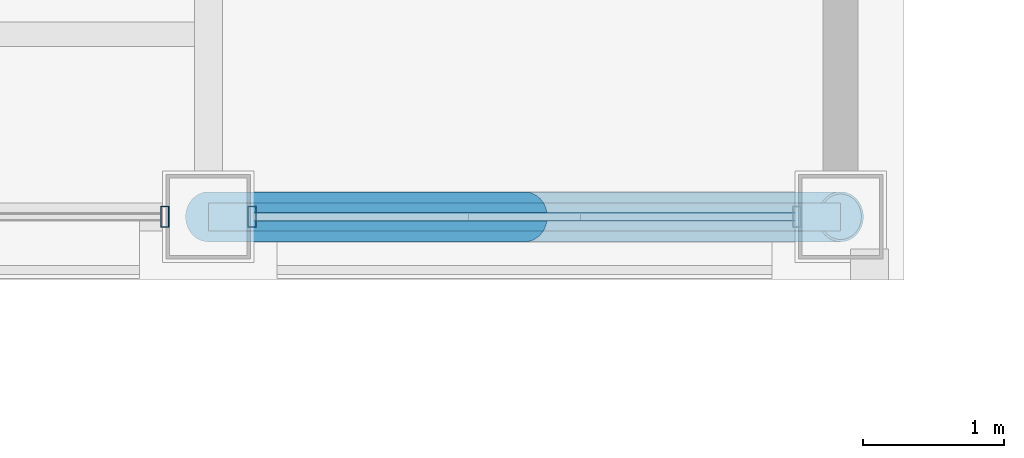
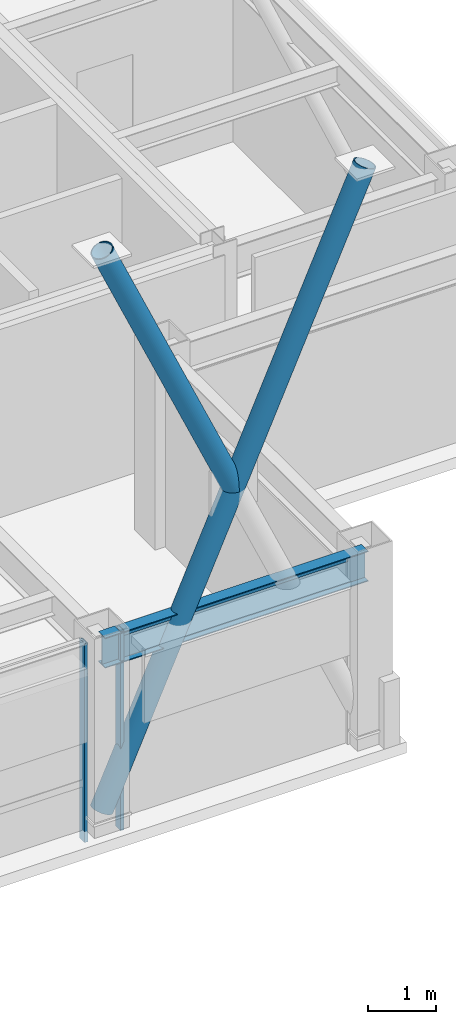
# One storey, part 7 of 27: 5 members, 1 beam, 2 elements without a shape of their own.
"""IFC4 building model written with IfcOpenShell, lengths in metres."""

from ifc_helpers import new_model, si_unit, direction, frame, origin, origin_2d, place, context, subcontext, project, spatial, hollow_rectangle, hollow_circle, i_section, extrude, material, layer, layer_set, material_profile, profile_set, type_object, element, aggregate, save


model = new_model("IFC4")

# Units and contexts
model_context = context("Model", 3, precision=1e-05, world=origin(), true_north=direction((0.0, 1.0)))
body_context = subcontext(model_context, "Body", "Model", "MODEL_VIEW")
ifc_project = project(units=[si_unit("LENGTHUNIT", "METRE"), si_unit("AREAUNIT", "SQUARE_METRE"), si_unit("VOLUMEUNIT", "CUBIC_METRE"), si_unit("PLANEANGLEUNIT", "RADIAN"), si_unit("MASSUNIT", "GRAM", prefix="KILO")], contexts=[model_context])

# Site, building, storey
site_placement = place(None, origin())
site = spatial("IfcSite", under=ifc_project, at=site_placement, CompositionType="ELEMENT")
building_placement = place(site_placement, origin())
building = spatial("IfcBuilding", under=site, at=building_placement, Name="Brelmoor Portico Tower", CompositionType="ELEMENT")
storey_placement = place(building_placement, frame((0.0, 0.0, 258.0)))
storey = spatial("IfcBuildingStorey", under=building, at=storey_placement, Name="L68", CompositionType="ELEMENT", Elevation=258.0)

# Beam
ifc_material_1 = material(Name="Steel Q355B", Category="steel")
ifc_material_profile_1 = material_profile(ifc_material_1, i_section(OverallWidth=0.199951171875, OverallDepth=0.550048828125, WebThickness=0.010009765625, FlangeThickness=0.01611328125, at=origin_2d()), Name="HN 550x200x10x16")
ifc_profile_set_1 = profile_set([ifc_material_profile_1], Name="Steel Q355B")
beam_type = type_object("IfcBeamType", Name="BM-SP-550", PredefinedType="SPANDREL", material=ifc_profile_set_1)
beam_placement = place(storey_placement, frame((8.050048828125, -17.550048828125, 3.125), z_axis=(1.0, 0.0, 0.0), x_axis=(0.0, 1.0, 0.0)))
element("IfcBeam", 1, at=beam_placement, inside=storey, type_object=beam_type, Name="L68 Perimeter Spandrel Beam SP-03", PredefinedType="SPANDREL", context=body_context, shape_type="SweptSolid", body=[
    extrude(i_section(OverallWidth=0.199951171875, OverallDepth=0.550048828125, WebThickness=0.010009765625, FlangeThickness=0.01611328125, at=origin_2d()), origin(), (0.0, 0.0, 1.0), 4.5),
])

# Members
ifc_material_profile_2 = material_profile(ifc_material_1, hollow_circle(Radius=0.177978515625, WallThickness=0.01611328125, at=origin_2d()), Name="CHS 356x16")
ifc_profile_set_2 = profile_set([ifc_material_profile_2], Name="Steel Q355B")
member_type_1 = type_object("IfcMemberType", Name="MB-BELT-DIAG2", PredefinedType="BRACE", material=ifc_profile_set_2)
member_1_placement = place(storey_placement, frame((8.050048828125, -17.550048828125, 0.25), z_axis=(0.406974140277, 0.0, 0.913439680081), x_axis=(0.0, 1.0, 0.0)))
element("IfcMember", 2, at=member_1_placement, inside=storey, type_object=member_type_1, Name="L68 Continuous Mega-X Brace 150A", PredefinedType="BRACE", context=body_context, shape_type="SweptSolid", body=[
    extrude(hollow_circle(Radius=0.177978515625, WallThickness=0.01611328125, at=origin_2d()), origin(), (0.0, 0.0, 1.0), 11.05712890625),
])
member_2_placement = place(storey_placement, frame((10.300048828125, -17.550048828125, 5.300048828125), z_axis=(-0.406974140277, 0.0, 0.913439680081), x_axis=(0.0, -1.0, 0.0)))
element("IfcMember", 3, at=member_2_placement, inside=storey, type_object=member_type_1, Name="L68 Split Mega-X Brace 150B2", PredefinedType="BRACE", context=body_context, shape_type="SweptSolid", body=[
    extrude(hollow_circle(Radius=0.177978515625, WallThickness=0.01611328125, at=origin_2d()), origin(), (0.0, 0.0, 1.0), 5.528564453125),
])

# Curtain wall, member
ifc_material_2 = material(Name="Anodised Aluminium Alloy 6063-T6", Category="aluminium")
ifc_layer_1 = layer(ifc_material_2, 0.179931640625)
ifc_layer_set_1 = layer_set([ifc_layer_1], Name="Anodised Aluminium Alloy 6063-T6")
curtain_wall_type_1 = type_object("IfcCurtainWallType", Name="CW-TOWER-Z4", PredefinedType="NOTDEFINED", material=ifc_layer_set_1)
curtain_wall_1_placement = place(storey_placement, origin())
curtain_wall_1 = element("IfcCurtainWall", 4, at=curtain_wall_1_placement, inside=storey, type_object=curtain_wall_type_1, Name="L68 Curtain Wall CW-L68-1R-1", PredefinedType="NOTDEFINED")
ifc_material_profile_3 = material_profile(ifc_material_2, hollow_rectangle(XDim=0.06005859375, YDim=0.14990234375, WallThickness=0.00390625, at=origin_2d()), Name="ALU MULLION 60x150")
ifc_profile_set_3 = profile_set([ifc_material_profile_3], Name="Anodised Aluminium Alloy 6063-T6")
member_type_2 = type_object("IfcMemberType", Name="MB-CW-MULL-150", PredefinedType="MULLION", material=ifc_profile_set_3)
member_3_placement = place(storey_placement, frame((7.739990234375, -17.550048828125, -0.199951171875), z_axis=(0.0, 0.0, 1.0), x_axis=(1.0, 0.0, 0.0)))
member_3 = element("IfcMember", 5, at=member_3_placement, type_object=member_type_2, Name="CW-L68-1R-1 Mullion 01", PredefinedType="MULLION", context=body_context, shape_type="SweptSolid", body=[
    extrude(hollow_rectangle(XDim=0.06005859375, YDim=0.14990234375, WallThickness=0.00390625, at=origin_2d()), origin(), (0.0, 0.0, 1.0), 3.599853515625),
])
aggregate(curtain_wall_1, [member_3])

# Curtain wall, members
ifc_layer_2 = layer(ifc_material_2, 0.179931640625)
ifc_layer_set_2 = layer_set([ifc_layer_2], Name="Anodised Aluminium Alloy 6063-T6")
curtain_wall_type_2 = type_object("IfcCurtainWallType", Name="CW-TOWER-Z4-XB", PredefinedType="NOTDEFINED", material=ifc_layer_set_2)
curtain_wall_2_placement = place(storey_placement, origin())
curtain_wall_2 = element("IfcCurtainWall", 6, at=curtain_wall_2_placement, inside=storey, type_object=curtain_wall_type_2, Name="L68 Curtain Wall CW-L68-1R-2", PredefinedType="NOTDEFINED")
member_4_placement = place(storey_placement, frame((8.360107421875, -17.550048828125, -0.199951171875), z_axis=(0.0, 0.0, 1.0), x_axis=(1.0, 0.0, 0.0)))
member_4 = element("IfcMember", 7, at=member_4_placement, type_object=member_type_2, Name="CW-L68-1R-2 Mullion 00", PredefinedType="MULLION", context=body_context, shape_type="SweptSolid", body=[
    extrude(hollow_rectangle(XDim=0.06005859375, YDim=0.14990234375, WallThickness=0.00390625, at=origin_2d()), origin(), (0.0, 0.0, 1.0), 3.599853515625),
])
ifc_material_profile_4 = material_profile(ifc_material_2, hollow_rectangle(XDim=0.06005859375, YDim=0.125, WallThickness=0.00341796875, at=origin_2d()), Name="ALU TRANSOM 60x125")
ifc_profile_set_4 = profile_set([ifc_material_profile_4], Name="Anodised Aluminium Alloy 6063-T6")
member_type_3 = type_object("IfcMemberType", Name="MB-CW-TRAN-125", PredefinedType="USERDEFINED", material=ifc_profile_set_4)
member_5_placement = place(storey_placement, frame((8.360107421875, -17.550048828125, 3.33740234375), z_axis=(1.0, 0.0, 0.0), x_axis=(0.0, 1.0, 0.0)))
member_5 = element("IfcMember", 8, at=member_5_placement, type_object=member_type_3, Name="CW-L68-1R-2 Transom 1-00", ObjectType="TRANSOM", PredefinedType="USERDEFINED", context=body_context, shape_type="SweptSolid", body=[
    extrude(hollow_rectangle(XDim=0.06005859375, YDim=0.125, WallThickness=0.00341796875, at=origin_2d()), origin(), (0.0, 0.0, 1.0), 3.8798828125),
])
aggregate(curtain_wall_2, [member_4, member_5])

save(model, "model.ifc")
